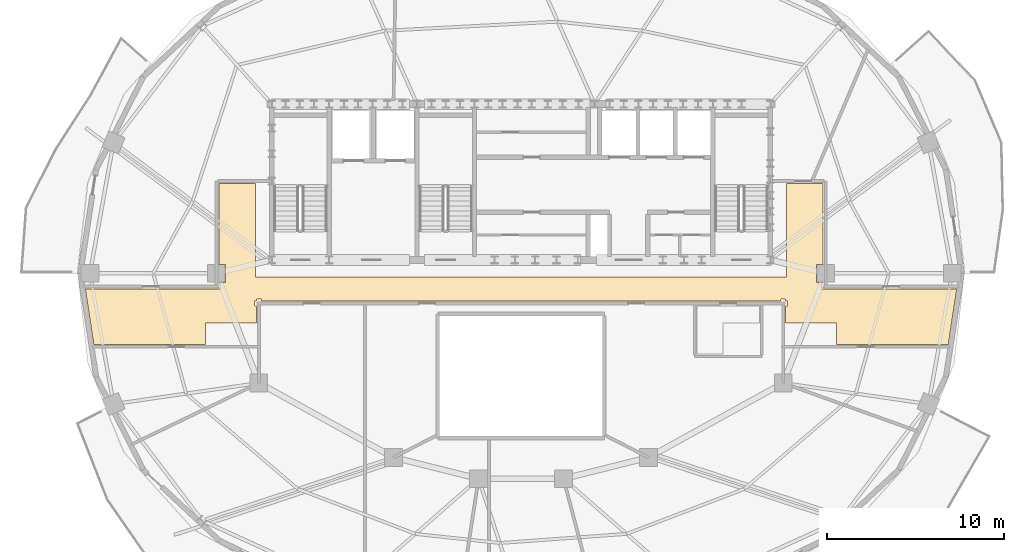
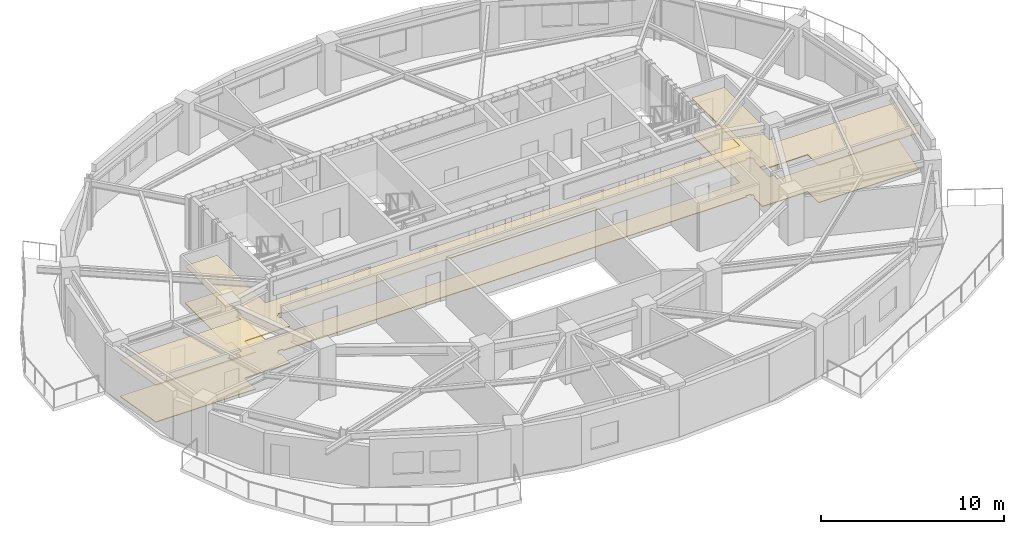
# One storey, part 8 of 10: 2 coverings.
"""IFC4 building model written with IfcOpenShell, lengths in metres."""

from ifc_helpers import new_model, si_unit, direction, frame, origin, place, context, subcontext, project, spatial, polyline, outline, extrude, material, layer, layer_set, type_object, element, save


model = new_model("IFC4")

# Units and contexts
model_context = context("Model", 3, precision=1e-05, world=origin(), true_north=direction((0.0, 1.0)))
body_context = subcontext(model_context, "Body", "Model", "MODEL_VIEW")
ifc_project = project(units=[si_unit("LENGTHUNIT", "METRE"), si_unit("AREAUNIT", "SQUARE_METRE"), si_unit("VOLUMEUNIT", "CUBIC_METRE"), si_unit("PLANEANGLEUNIT", "RADIAN"), si_unit("MASSUNIT", "GRAM", prefix="KILO")], contexts=[model_context])

# Site, building, storey
site_placement = place(None, origin())
site = spatial("IfcSite", under=ifc_project, at=site_placement, CompositionType="ELEMENT")
building_placement = place(site_placement, origin())
building = spatial("IfcBuilding", under=site, at=building_placement, Name="Haldorwick Loom Tower", CompositionType="ELEMENT")
storey_placement = place(building_placement, frame((0.0, 0.0, 255.75)))
storey = spatial("IfcBuildingStorey", under=building, at=storey_placement, Name="L69", CompositionType="ELEMENT", Elevation=255.75)

# Coverings
ifc_material_1 = material(Name="Mineral Fibre Acoustic Ceiling Tile")
ifc_layer_1 = layer(ifc_material_1, 0.054931640625, Name="Mineral Fibre Acoustic Ceiling Tile")
ifc_layer_set_1 = layer_set([ifc_layer_1], Name="Mineral Fibre Acoustic Ceiling Tile")
covering_type_1 = type_object("IfcCoveringType", Name="ARC-COV-CEIL2", PredefinedType="CEILING", material=ifc_layer_set_1)
covering_1_placement = place(storey_placement, frame((0.0, 0.0, 2.458984375)))
element("IfcCovering", 1, at=covering_1_placement, inside=storey, type_object=covering_type_1, Name="L69 Acoustic Suspended Ceiling 1", PredefinedType="CEILING", context=body_context, shape_type="SweptSolid", body=[
    extrude(outline(polyline([(11.88037109375, 21.989990234375), (18.199951171875, 21.989990234375), (18.199951171875, 23.199951171875), (21.06005859375, 23.199951171875), (21.06005859375, 24.159912109375), (20.97998046875, 24.159912109375), (20.97802734375, 24.16015625), (20.97607421875, 24.160400390625), (20.97412109375, 24.160888671875), (20.972412109375, 24.16162109375), (20.970703125, 24.162353515625), (20.968994140625, 24.163330078125), (20.96728515625, 24.16455078125), (20.9658203125, 24.166015625), (20.964599609375, 24.167236328125), (20.96337890625, 24.1689453125), (20.96240234375, 24.170654296875), (20.96142578125, 24.17236328125), (20.9609375, 24.17431640625), (20.96044921875, 24.176025390625), (20.960205078125, 24.177978515625), (20.9599609375, 24.179931640625), (20.9599609375, 24.419921875), (20.960205078125, 24.422119140625), (20.96044921875, 24.423828125), (20.9609375, 24.42578125), (20.96142578125, 24.427734375), (20.96240234375, 24.429443359375), (20.96337890625, 24.43115234375), (20.964599609375, 24.4326171875), (20.9658203125, 24.43408203125), (20.96728515625, 24.435546875), (20.968994140625, 24.4365234375), (20.970703125, 24.4375), (20.972412109375, 24.4384765625), (20.97412109375, 24.439208984375), (20.97607421875, 24.439697265625), (20.97802734375, 24.43994140625), (20.97998046875, 24.43994140625), (21.06005859375, 24.43994140625), (21.06005859375, 24.52001953125), (21.06005859375, 24.52197265625), (21.060302734375, 24.52392578125), (21.060791015625, 24.52587890625), (21.0615234375, 24.527587890625), (21.0625, 24.529296875), (21.0634765625, 24.531005859375), (21.064453125, 24.53271484375), (21.06591796875, 24.5341796875), (21.0673828125, 24.535400390625), (21.06884765625, 24.53662109375), (21.070556640625, 24.53759765625), (21.072265625, 24.53857421875), (21.07421875, 24.5390625), (21.076171875, 24.53955078125), (21.077880859375, 24.539794921875), (21.080078125, 24.5400390625), (21.320068359375, 24.5400390625), (21.322021484375, 24.539794921875), (21.323974609375, 24.53955078125), (21.32568359375, 24.5390625), (21.32763671875, 24.53857421875), (21.329345703125, 24.53759765625), (21.3310546875, 24.53662109375), (21.332763671875, 24.535400390625), (21.333984375, 24.5341796875), (21.33544921875, 24.53271484375), (21.336669921875, 24.531005859375), (21.337646484375, 24.529296875), (21.33837890625, 24.527587890625), (21.339111328125, 24.52587890625), (21.339599609375, 24.52392578125), (21.33984375, 24.52197265625), (21.340087890625, 24.52001953125), (21.340087890625, 24.43994140625), (50.659912109375, 24.43994140625), (50.659912109375, 24.52001953125), (50.66015625, 24.52197265625), (50.660400390625, 24.52392578125), (50.660888671875, 24.52587890625), (50.66162109375, 24.527587890625), (50.662353515625, 24.529296875), (50.663330078125, 24.531005859375), (50.66455078125, 24.53271484375), (50.666015625, 24.5341796875), (50.667236328125, 24.535400390625), (50.6689453125, 24.53662109375), (50.670654296875, 24.53759765625), (50.67236328125, 24.53857421875), (50.67431640625, 24.5390625), (50.676025390625, 24.53955078125), (50.677978515625, 24.539794921875), (50.679931640625, 24.5400390625), (50.919921875, 24.5400390625), (50.922119140625, 24.539794921875), (50.923828125, 24.53955078125), (50.92578125, 24.5390625), (50.927734375, 24.53857421875), (50.929443359375, 24.53759765625), (50.93115234375, 24.53662109375), (50.9326171875, 24.535400390625), (50.93408203125, 24.5341796875), (50.935546875, 24.53271484375), (50.9365234375, 24.531005859375), (50.9375, 24.529296875), (50.9384765625, 24.527587890625), (50.939208984375, 24.52587890625), (50.939697265625, 24.52392578125), (50.93994140625, 24.52197265625), (50.93994140625, 24.52001953125), (50.93994140625, 24.43994140625), (51.02001953125, 24.43994140625), (51.02197265625, 24.43994140625), (51.02392578125, 24.439697265625), (51.02587890625, 24.439208984375), (51.027587890625, 24.4384765625), (51.029296875, 24.4375), (51.031005859375, 24.4365234375), (51.03271484375, 24.435546875), (51.0341796875, 24.43408203125), (51.035400390625, 24.4326171875), (51.03662109375, 24.43115234375), (51.03759765625, 24.429443359375), (51.03857421875, 24.427734375), (51.0390625, 24.42578125), (51.03955078125, 24.423828125), (51.039794921875, 24.422119140625), (51.0400390625, 24.419921875), (51.0400390625, 24.179931640625), (51.039794921875, 24.177978515625), (51.03955078125, 24.176025390625), (51.0390625, 24.17431640625), (51.03857421875, 24.17236328125), (51.03759765625, 24.170654296875), (51.03662109375, 24.1689453125), (51.035400390625, 24.167236328125), (51.0341796875, 24.166015625), (51.03271484375, 24.16455078125), (51.031005859375, 24.163330078125), (51.029296875, 24.162353515625), (51.027587890625, 24.16162109375), (51.02587890625, 24.160888671875), (51.02392578125, 24.160400390625), (51.02197265625, 24.16015625), (51.02001953125, 24.159912109375), (50.93994140625, 24.159912109375), (50.93994140625, 23.199951171875), (53.800048828125, 23.199951171875), (53.800048828125, 21.989990234375), (60.11962890625, 21.989990234375), (60.594482421875, 25.110107421875), (52.97998046875, 25.110107421875), (52.97802734375, 25.110107421875), (52.97607421875, 25.1103515625), (52.97412109375, 25.11083984375), (52.972412109375, 25.111572265625), (52.970703125, 25.1123046875), (52.968994140625, 25.11328125), (52.96728515625, 25.114501953125), (52.9658203125, 25.115966796875), (52.964599609375, 25.1171875), (52.96337890625, 25.118896484375), (52.96240234375, 25.12060546875), (52.96142578125, 25.122314453125), (52.9609375, 25.124267578125), (52.96044921875, 25.126220703125), (52.960205078125, 25.1279296875), (52.9599609375, 25.1298828125), (52.9599609375, 25.3701171875), (52.960205078125, 25.3720703125), (52.96044921875, 25.373779296875), (52.9609375, 25.375732421875), (52.96142578125, 25.377685546875), (52.96240234375, 25.37939453125), (52.96337890625, 25.381103515625), (52.964599609375, 25.3828125), (52.9658203125, 25.384033203125), (52.96728515625, 25.385498046875), (52.968994140625, 25.38671875), (52.970703125, 25.3876953125), (52.972412109375, 25.388427734375), (52.97412109375, 25.38916015625), (52.97607421875, 25.3896484375), (52.97802734375, 25.389892578125), (52.97998046875, 25.389892578125), (53.06005859375, 25.389892578125), (53.06005859375, 25.491943359375), (52.69189453125, 25.491943359375), (52.69189453125, 26.508056640625), (53.06005859375, 26.508056640625), (53.06005859375, 31.06005859375), (51.0, 31.06005859375), (51.0, 25.800048828125), (21.0, 25.800048828125), (21.0, 31.06005859375), (18.93994140625, 31.06005859375), (18.93994140625, 26.508056640625), (19.30810546875, 26.508056640625), (19.30810546875, 25.491943359375), (18.93994140625, 25.491943359375), (18.93994140625, 25.389892578125), (19.02001953125, 25.389892578125), (19.02197265625, 25.389892578125), (19.02392578125, 25.3896484375), (19.02587890625, 25.38916015625), (19.027587890625, 25.388427734375), (19.029296875, 25.3876953125), (19.031005859375, 25.38671875), (19.03271484375, 25.385498046875), (19.0341796875, 25.384033203125), (19.035400390625, 25.3828125), (19.03662109375, 25.381103515625), (19.03759765625, 25.37939453125), (19.03857421875, 25.377685546875), (19.0390625, 25.375732421875), (19.03955078125, 25.373779296875), (19.039794921875, 25.3720703125), (19.0400390625, 25.3701171875), (19.0400390625, 25.1298828125), (19.039794921875, 25.1279296875), (19.03955078125, 25.126220703125), (19.0390625, 25.124267578125), (19.03857421875, 25.122314453125), (19.03759765625, 25.12060546875), (19.03662109375, 25.118896484375), (19.035400390625, 25.1171875), (19.0341796875, 25.115966796875), (19.03271484375, 25.114501953125), (19.031005859375, 25.11328125), (19.029296875, 25.1123046875), (19.027587890625, 25.111572265625), (19.02587890625, 25.11083984375), (19.02392578125, 25.1103515625), (19.02197265625, 25.110107421875), (19.02001953125, 25.110107421875), (11.405517578125, 25.110107421875), (11.88037109375, 21.989990234375)])), origin(), (0.0, 0.0, 1.0), 0.054931640625),
])
ifc_material_2 = material(Name="Polished Aggregate Terrazzo Finish")
ifc_layer_2 = layer(ifc_material_2, 0.044921875, Name="Polished Aggregate Terrazzo Finish")
ifc_layer_set_2 = layer_set([ifc_layer_2], Name="Polished Aggregate Terrazzo Finish")
covering_type_2 = type_object("IfcCoveringType", Name="ARC-COV-FLOOR2", PredefinedType="FLOORING", material=ifc_layer_set_2)
covering_2_placement = place(storey_placement, origin())
element("IfcCovering", 2, at=covering_2_placement, inside=storey, type_object=covering_type_2, Name="L69 Floor Finish 1", PredefinedType="FLOORING", context=body_context, shape_type="SweptSolid", body=[
    extrude(outline(polyline([(11.88037109375, 21.989990234375), (18.199951171875, 21.989990234375), (18.199951171875, 23.199951171875), (21.06005859375, 23.199951171875), (21.06005859375, 24.159912109375), (20.97998046875, 24.159912109375), (20.97802734375, 24.16015625), (20.97607421875, 24.160400390625), (20.97412109375, 24.160888671875), (20.972412109375, 24.16162109375), (20.970703125, 24.162353515625), (20.968994140625, 24.163330078125), (20.96728515625, 24.16455078125), (20.9658203125, 24.166015625), (20.964599609375, 24.167236328125), (20.96337890625, 24.1689453125), (20.96240234375, 24.170654296875), (20.96142578125, 24.17236328125), (20.9609375, 24.17431640625), (20.96044921875, 24.176025390625), (20.960205078125, 24.177978515625), (20.9599609375, 24.179931640625), (20.9599609375, 24.419921875), (20.960205078125, 24.422119140625), (20.96044921875, 24.423828125), (20.9609375, 24.42578125), (20.96142578125, 24.427734375), (20.96240234375, 24.429443359375), (20.96337890625, 24.43115234375), (20.964599609375, 24.4326171875), (20.9658203125, 24.43408203125), (20.96728515625, 24.435546875), (20.968994140625, 24.4365234375), (20.970703125, 24.4375), (20.972412109375, 24.4384765625), (20.97412109375, 24.439208984375), (20.97607421875, 24.439697265625), (20.97802734375, 24.43994140625), (20.97998046875, 24.43994140625), (21.06005859375, 24.43994140625), (21.06005859375, 24.52001953125), (21.06005859375, 24.52197265625), (21.060302734375, 24.52392578125), (21.060791015625, 24.52587890625), (21.0615234375, 24.527587890625), (21.0625, 24.529296875), (21.0634765625, 24.531005859375), (21.064453125, 24.53271484375), (21.06591796875, 24.5341796875), (21.0673828125, 24.535400390625), (21.06884765625, 24.53662109375), (21.070556640625, 24.53759765625), (21.072265625, 24.53857421875), (21.07421875, 24.5390625), (21.076171875, 24.53955078125), (21.077880859375, 24.539794921875), (21.080078125, 24.5400390625), (21.320068359375, 24.5400390625), (21.322021484375, 24.539794921875), (21.323974609375, 24.53955078125), (21.32568359375, 24.5390625), (21.32763671875, 24.53857421875), (21.329345703125, 24.53759765625), (21.3310546875, 24.53662109375), (21.332763671875, 24.535400390625), (21.333984375, 24.5341796875), (21.33544921875, 24.53271484375), (21.336669921875, 24.531005859375), (21.337646484375, 24.529296875), (21.33837890625, 24.527587890625), (21.339111328125, 24.52587890625), (21.339599609375, 24.52392578125), (21.33984375, 24.52197265625), (21.340087890625, 24.52001953125), (21.340087890625, 24.43994140625), (50.659912109375, 24.43994140625), (50.659912109375, 24.52001953125), (50.66015625, 24.52197265625), (50.660400390625, 24.52392578125), (50.660888671875, 24.52587890625), (50.66162109375, 24.527587890625), (50.662353515625, 24.529296875), (50.663330078125, 24.531005859375), (50.66455078125, 24.53271484375), (50.666015625, 24.5341796875), (50.667236328125, 24.535400390625), (50.6689453125, 24.53662109375), (50.670654296875, 24.53759765625), (50.67236328125, 24.53857421875), (50.67431640625, 24.5390625), (50.676025390625, 24.53955078125), (50.677978515625, 24.539794921875), (50.679931640625, 24.5400390625), (50.919921875, 24.5400390625), (50.922119140625, 24.539794921875), (50.923828125, 24.53955078125), (50.92578125, 24.5390625), (50.927734375, 24.53857421875), (50.929443359375, 24.53759765625), (50.93115234375, 24.53662109375), (50.9326171875, 24.535400390625), (50.93408203125, 24.5341796875), (50.935546875, 24.53271484375), (50.9365234375, 24.531005859375), (50.9375, 24.529296875), (50.9384765625, 24.527587890625), (50.939208984375, 24.52587890625), (50.939697265625, 24.52392578125), (50.93994140625, 24.52197265625), (50.93994140625, 24.52001953125), (50.93994140625, 24.43994140625), (51.02001953125, 24.43994140625), (51.02197265625, 24.43994140625), (51.02392578125, 24.439697265625), (51.02587890625, 24.439208984375), (51.027587890625, 24.4384765625), (51.029296875, 24.4375), (51.031005859375, 24.4365234375), (51.03271484375, 24.435546875), (51.0341796875, 24.43408203125), (51.035400390625, 24.4326171875), (51.03662109375, 24.43115234375), (51.03759765625, 24.429443359375), (51.03857421875, 24.427734375), (51.0390625, 24.42578125), (51.03955078125, 24.423828125), (51.039794921875, 24.422119140625), (51.0400390625, 24.419921875), (51.0400390625, 24.179931640625), (51.039794921875, 24.177978515625), (51.03955078125, 24.176025390625), (51.0390625, 24.17431640625), (51.03857421875, 24.17236328125), (51.03759765625, 24.170654296875), (51.03662109375, 24.1689453125), (51.035400390625, 24.167236328125), (51.0341796875, 24.166015625), (51.03271484375, 24.16455078125), (51.031005859375, 24.163330078125), (51.029296875, 24.162353515625), (51.027587890625, 24.16162109375), (51.02587890625, 24.160888671875), (51.02392578125, 24.160400390625), (51.02197265625, 24.16015625), (51.02001953125, 24.159912109375), (50.93994140625, 24.159912109375), (50.93994140625, 23.199951171875), (53.800048828125, 23.199951171875), (53.800048828125, 21.989990234375), (60.11962890625, 21.989990234375), (60.594482421875, 25.110107421875), (52.97998046875, 25.110107421875), (52.97802734375, 25.110107421875), (52.97607421875, 25.1103515625), (52.97412109375, 25.11083984375), (52.972412109375, 25.111572265625), (52.970703125, 25.1123046875), (52.968994140625, 25.11328125), (52.96728515625, 25.114501953125), (52.9658203125, 25.115966796875), (52.964599609375, 25.1171875), (52.96337890625, 25.118896484375), (52.96240234375, 25.12060546875), (52.96142578125, 25.122314453125), (52.9609375, 25.124267578125), (52.96044921875, 25.126220703125), (52.960205078125, 25.1279296875), (52.9599609375, 25.1298828125), (52.9599609375, 25.3701171875), (52.960205078125, 25.3720703125), (52.96044921875, 25.373779296875), (52.9609375, 25.375732421875), (52.96142578125, 25.377685546875), (52.96240234375, 25.37939453125), (52.96337890625, 25.381103515625), (52.964599609375, 25.3828125), (52.9658203125, 25.384033203125), (52.96728515625, 25.385498046875), (52.968994140625, 25.38671875), (52.970703125, 25.3876953125), (52.972412109375, 25.388427734375), (52.97412109375, 25.38916015625), (52.97607421875, 25.3896484375), (52.97802734375, 25.389892578125), (52.97998046875, 25.389892578125), (53.06005859375, 25.389892578125), (53.06005859375, 25.491943359375), (52.69189453125, 25.491943359375), (52.69189453125, 26.508056640625), (53.06005859375, 26.508056640625), (53.06005859375, 31.06005859375), (51.0, 31.06005859375), (51.0, 25.800048828125), (21.0, 25.800048828125), (21.0, 31.06005859375), (18.93994140625, 31.06005859375), (18.93994140625, 26.508056640625), (19.30810546875, 26.508056640625), (19.30810546875, 25.491943359375), (18.93994140625, 25.491943359375), (18.93994140625, 25.389892578125), (19.02001953125, 25.389892578125), (19.02197265625, 25.389892578125), (19.02392578125, 25.3896484375), (19.02587890625, 25.38916015625), (19.027587890625, 25.388427734375), (19.029296875, 25.3876953125), (19.031005859375, 25.38671875), (19.03271484375, 25.385498046875), (19.0341796875, 25.384033203125), (19.035400390625, 25.3828125), (19.03662109375, 25.381103515625), (19.03759765625, 25.37939453125), (19.03857421875, 25.377685546875), (19.0390625, 25.375732421875), (19.03955078125, 25.373779296875), (19.039794921875, 25.3720703125), (19.0400390625, 25.3701171875), (19.0400390625, 25.1298828125), (19.039794921875, 25.1279296875), (19.03955078125, 25.126220703125), (19.0390625, 25.124267578125), (19.03857421875, 25.122314453125), (19.03759765625, 25.12060546875), (19.03662109375, 25.118896484375), (19.035400390625, 25.1171875), (19.0341796875, 25.115966796875), (19.03271484375, 25.114501953125), (19.031005859375, 25.11328125), (19.029296875, 25.1123046875), (19.027587890625, 25.111572265625), (19.02587890625, 25.11083984375), (19.02392578125, 25.1103515625), (19.02197265625, 25.110107421875), (19.02001953125, 25.110107421875), (11.405517578125, 25.110107421875), (11.88037109375, 21.989990234375)])), origin(), (0.0, 0.0, 1.0), 0.044921875),
])

save(model, "model.ifc")
